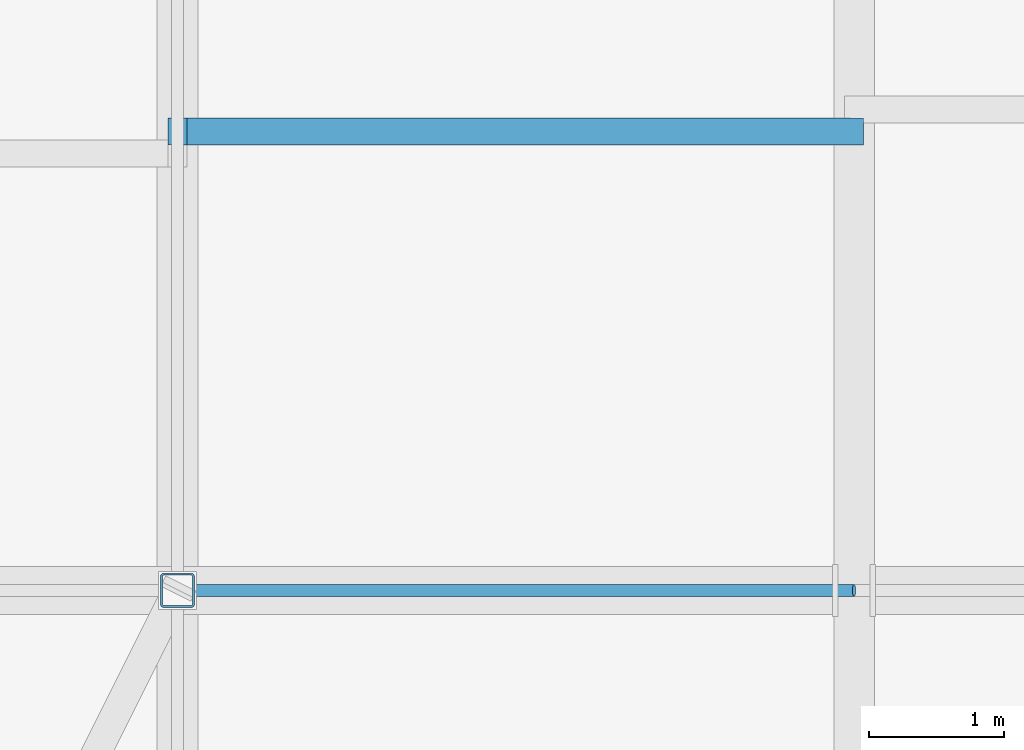
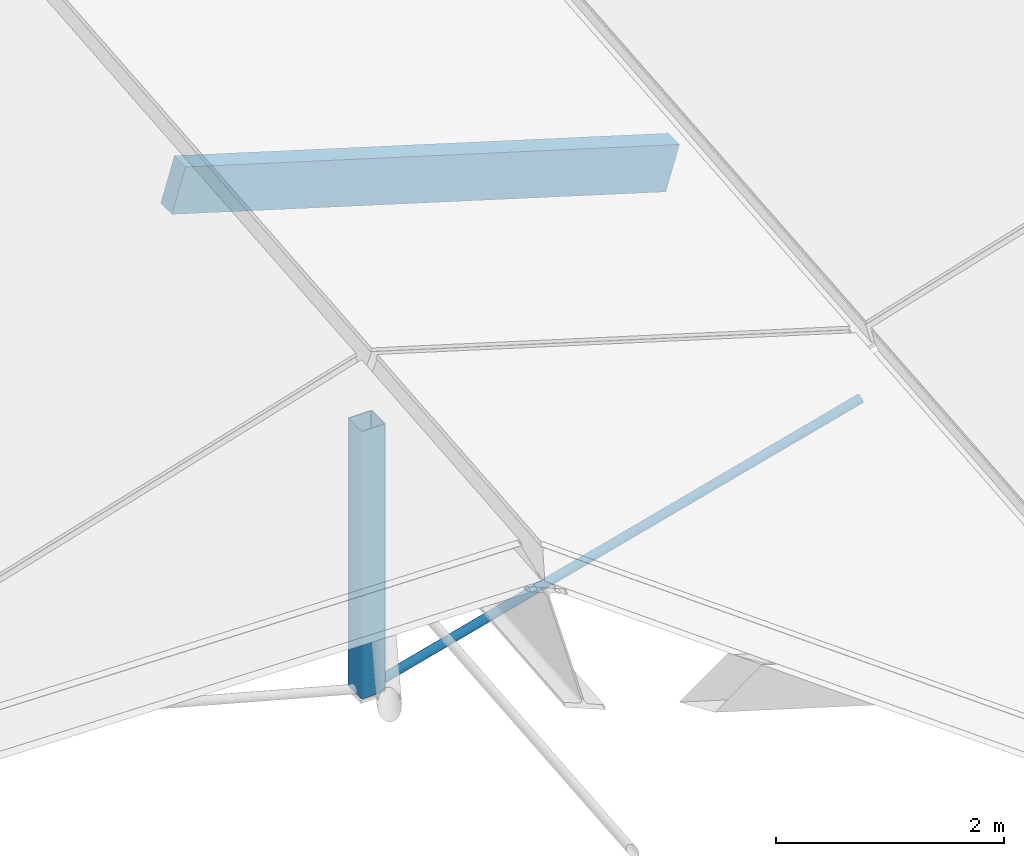
# One storey, part 27 of 90: 3 members.
"""IFC4 building model written with IfcOpenShell, lengths in metres."""

from ifc_helpers import new_model, si_unit, direction, frame, origin, origin_2d, place, context, subcontext, project, spatial, rectangle, hollow_rectangle, circle, extrude, material, material_profile, profile_set, type_object, element, save


model = new_model("IFC4")

# Units and contexts
model_context = context("Model", 3, precision=1e-05, world=origin(), true_north=direction((0.0, 1.0)))
body_context = subcontext(model_context, "Body", "Model", "MODEL_VIEW")
ifc_project = project(units=[si_unit("LENGTHUNIT", "METRE"), si_unit("AREAUNIT", "SQUARE_METRE"), si_unit("VOLUMEUNIT", "CUBIC_METRE"), si_unit("PLANEANGLEUNIT", "RADIAN"), si_unit("MASSUNIT", "GRAM", prefix="KILO"), si_unit("THERMODYNAMICTEMPERATUREUNIT", "KELVIN"), si_unit("POWERUNIT", "WATT")], contexts=[model_context])

# Site, building, storey
site_placement = place(None, origin())
site = spatial("IfcSite", under=ifc_project, at=site_placement, CompositionType="ELEMENT")
building_placement = place(site_placement, origin())
building = spatial("IfcBuilding", under=site, at=building_placement, Name="Korenveer Ferry Terminal", CompositionType="ELEMENT")
storey_placement = place(building_placement, frame((0.0, 0.0, 22.199951171875)))
storey = spatial("IfcBuildingStorey", under=building, at=storey_placement, Name="RF", CompositionType="ELEMENT", Elevation=22.199951171875)

# Members
ifc_material_1 = material(Name="High-strength steel S460", Category="steel")
ifc_material_profile_1 = material_profile(ifc_material_1, circle(Radius=0.044921875, at=origin_2d()), Name="ROD D90")
ifc_profile_set_1 = profile_set([ifc_material_profile_1], Name="High-strength steel S460")
member_type_1 = type_object("IfcMemberType", Name="STR-CBL-D90", PredefinedType="USERDEFINED", material=ifc_profile_set_1)
member_1_placement = place(storey_placement, frame((73.0, 80.0, -5.95361328125), z_axis=(-0.965424337217, 0.0, -0.260683426993), x_axis=(0.0, -1.0, 0.0)))
element("IfcMember", 1, at=member_1_placement, inside=storey, type_object=member_type_1, Name="Roof tension tie cable 60", ObjectType="CABLE", PredefinedType="USERDEFINED", context=body_context, shape_type="SweptSolid", body=[
    extrude(circle(Radius=0.044921875, at=origin_2d()), origin(), (0.0, 0.0, 1.0), 5.178955078125),
])
ifc_material_2 = material(Name="Glulam GL28h", Category="wood")
ifc_material_profile_2 = material_profile(ifc_material_2, rectangle(XDim=0.199951171875, YDim=0.47998046875, at=origin_2d()), Name="GL 200x480")
ifc_profile_set_2 = profile_set([ifc_material_profile_2], Name="Glulam GL28h")
member_type_2 = type_object("IfcMemberType", Name="STR-PUR-GL200", PredefinedType="PURLIN", material=ifc_profile_set_2)
member_2_placement = place(storey_placement, frame((68.0, 83.392333984375, -3.9775390625), z_axis=(0.957310140112, 0.0, -0.289062788401), x_axis=(0.0, 1.0, 0.0)))
element("IfcMember", 2, at=member_2_placement, inside=storey, type_object=member_type_2, Name="Folded roof glulam purlin 67", PredefinedType="PURLIN", context=body_context, shape_type="SweptSolid", body=[
    extrude(rectangle(XDim=0.199951171875, YDim=0.47998046875, at=origin_2d()), origin(), (0.0, 0.0, 1.0), 5.222900390625),
])
ifc_material_3 = material(Name="Steel S355", Category="steel")
ifc_material_profile_3 = material_profile(ifc_material_3, hollow_rectangle(XDim=0.25, YDim=0.25, WallThickness=0.012451171875, InnerFilletRadius=0.012451171875, OuterFilletRadius=0.018798828125, at=origin_2d()), Name="SHS 250x250x12.5")
ifc_profile_set_3 = profile_set([ifc_material_profile_3], Name="Steel S355")
member_type_3 = type_object("IfcMemberType", Name="STR-STT-SHS250", PredefinedType="STRUT", material=ifc_profile_set_3)
member_3_placement = place(storey_placement, frame((68.0, 80.0, -7.3037109375), z_axis=(0.0, 0.0, 1.0), x_axis=(1.0, 0.0, 0.0)))
element("IfcMember", 3, at=member_3_placement, inside=storey, type_object=member_type_3, Name="Roof king-post strut STTKP-Y80-B1", PredefinedType="STRUT", context=body_context, shape_type="SweptSolid", body=[
    extrude(hollow_rectangle(XDim=0.25, YDim=0.25, WallThickness=0.012451171875, InnerFilletRadius=0.012451171875, OuterFilletRadius=0.018798828125, at=origin_2d()), origin(), (0.0, 0.0, 1.0), 2.85986328125),
])

save(model, "model.ifc")
